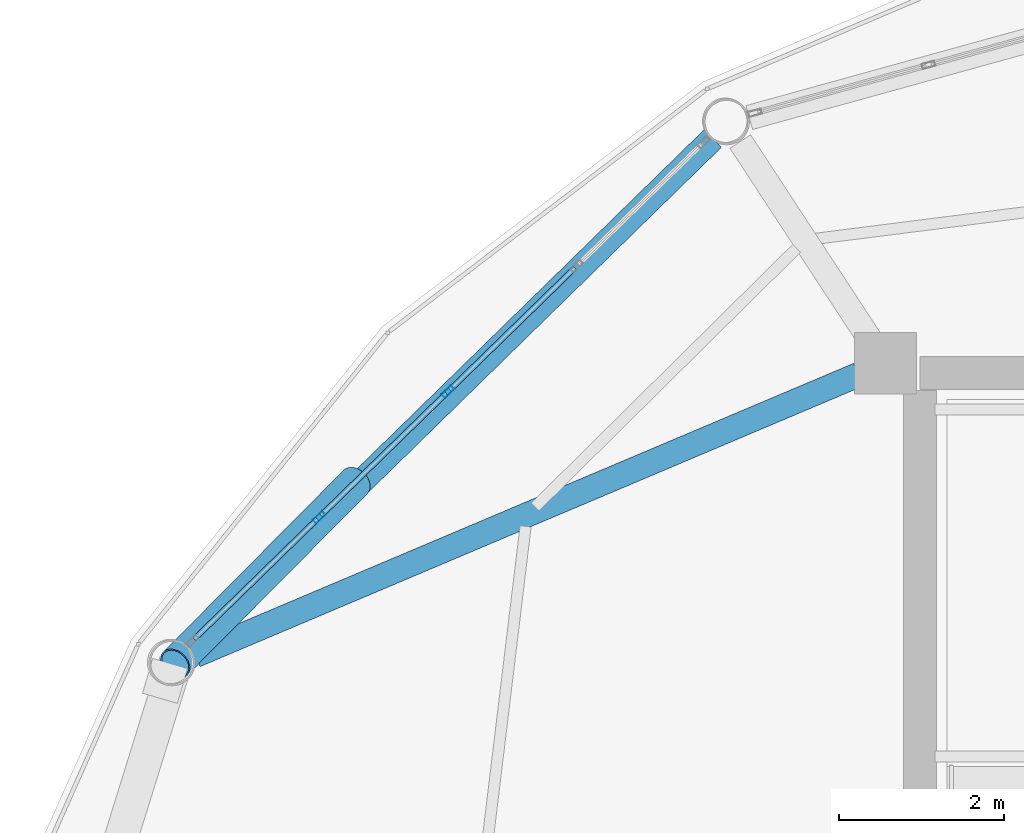
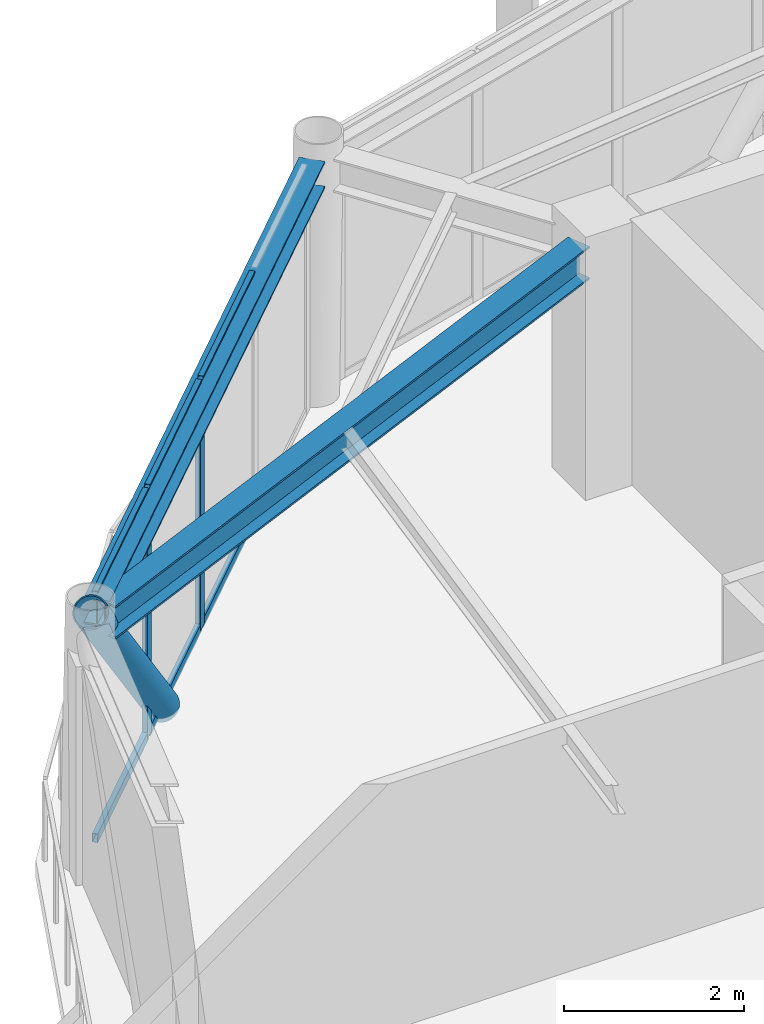
# One storey, part 13 of 27: 9 members, 2 beams, 1 element without a shape of its own.
"""IFC4 building model written with IfcOpenShell, lengths in metres."""

from ifc_helpers import new_model, si_unit, direction, frame, origin, origin_2d, place, context, subcontext, project, spatial, hollow_rectangle, hollow_circle, i_section, extrude, material, layer, layer_set, material_profile, profile_set, type_object, element, aggregate, save


model = new_model("IFC4")

# Units and contexts
model_context = context("Model", 3, precision=1e-05, world=origin(), true_north=direction((0.0, 1.0)))
body_context = subcontext(model_context, "Body", "Model", "MODEL_VIEW")
ifc_project = project(units=[si_unit("LENGTHUNIT", "METRE"), si_unit("AREAUNIT", "SQUARE_METRE"), si_unit("VOLUMEUNIT", "CUBIC_METRE"), si_unit("PLANEANGLEUNIT", "RADIAN"), si_unit("MASSUNIT", "GRAM", prefix="KILO")], contexts=[model_context])

# Site, building, storey
site_placement = place(None, origin())
site = spatial("IfcSite", under=ifc_project, at=site_placement, CompositionType="ELEMENT")
building_placement = place(site_placement, origin())
building = spatial("IfcBuilding", under=site, at=building_placement, Name="Varnakorn Sky Granary", CompositionType="ELEMENT")
storey_placement = place(building_placement, frame((0.0, 0.0, 245.39990234375)))
storey = spatial("IfcBuildingStorey", under=building, at=storey_placement, Name="L62", CompositionType="ELEMENT", Elevation=245.39990234375)

# Beams
ifc_material_1 = material(Name="Steel S355JR", Category="steel")
ifc_material_profile_1 = material_profile(ifc_material_1, i_section(OverallWidth=0.300048828125, OverallDepth=0.449951171875, WebThickness=0.013916015625, FlangeThickness=0.02587890625, at=origin_2d()), Name="HE 450 B")
ifc_profile_set_1 = profile_set([ifc_material_profile_1], Name="Steel S355JR")
beam_type_1 = type_object("IfcBeamType", Name="BM-RAD-Z5", PredefinedType="BEAM", material=ifc_profile_set_1)
beam_1_placement = place(storey_placement, frame((-2.746826171875, 12.481689453125, 3.135009765625), z_axis=(-0.920977646644, -0.389615418563, 0.0), x_axis=(0.389615418563, -0.920977646644, 0.0)))
element("IfcBeam", 1, at=beam_1_placement, inside=storey, type_object=beam_type_1, Name="Radial Floor Girder RG06 L62", PredefinedType="BEAM", context=body_context, shape_type="SweptSolid", body=[
    extrude(i_section(OverallWidth=0.300048828125, OverallDepth=0.449951171875, WebThickness=0.013916015625, FlangeThickness=0.02587890625, at=origin_2d()), origin(), (0.0, 0.0, 1.0), 8.75146484375),
])
ifc_material_profile_2 = material_profile(ifc_material_1, i_section(OverallWidth=0.300048828125, OverallDepth=0.360107421875, WebThickness=0.012451171875, FlangeThickness=0.0224609375, at=origin_2d()), Name="HE 360 B")
ifc_profile_set_2 = profile_set([ifc_material_profile_2], Name="Steel S355JR")
beam_type_2 = type_object("IfcBeamType", Name="BM-SPD-Z5", PredefinedType="SPANDREL", material=ifc_profile_set_2)
beam_2_placement = place(storey_placement, frame((-4.519287109375, 15.35009765625, 3.18017578125), z_axis=(-0.715264777824, -0.698853559485, 0.0), x_axis=(0.698853559485, -0.715264777824, 0.0)))
element("IfcBeam", 2, at=beam_2_placement, inside=storey, type_object=beam_type_2, Name="Perimeter Spandrel Ring Beam RB05 L62", PredefinedType="SPANDREL", context=body_context, shape_type="SweptSolid", body=[
    extrude(i_section(OverallWidth=0.300048828125, OverallDepth=0.360107421875, WebThickness=0.012451171875, FlangeThickness=0.0224609375, at=origin_2d()), origin(), (0.0, 0.0, 1.0), 8.866455078125),
])

# Curtain wall, members
ifc_material_2 = material(Name="Anodised Bronze Aluminium Alloy 6063-T6", Category="aluminium")
ifc_layer = layer(ifc_material_2, 0.159912109375, Name="Anodised Bronze Aluminium Alloy 6063-T6")
ifc_layer_set = layer_set([ifc_layer], Name="Anodised Bronze Aluminium Alloy 6063-T6")
curtain_wall_type = type_object("IfcCurtainWallType", Name="CW-OFF-1", PredefinedType="USERDEFINED", material=ifc_layer_set)
curtain_wall_placement = place(storey_placement, origin())
curtain_wall = element("IfcCurtainWall", 3, at=curtain_wall_placement, inside=storey, type_object=curtain_wall_type, Name="Unitised Curtain Wall CW6 CW-L62-B05", ObjectType="CURTAIN WALL", PredefinedType="USERDEFINED")
ifc_material_profile_3 = material_profile(ifc_material_2, hollow_rectangle(XDim=0.06494140625, YDim=0.159912109375, WallThickness=0.00341796875, at=origin_2d()), Name="ALU MULL 65x160")
ifc_profile_set_3 = profile_set([ifc_material_profile_3], Name="Anodised Bronze Aluminium Alloy 6063-T6")
member_type_1 = type_object("IfcMemberType", Name="CW-OFF-1-MULL", PredefinedType="MULLION", material=ifc_profile_set_3)
member_1_placement = place(storey_placement, frame((-9.30126953125, 10.74853515625, 0.0), z_axis=(0.0, 0.0, 1.0), x_axis=(-0.698180615076, 0.715921663823, 0.0)))
member_1 = element("IfcMember", 4, at=member_1_placement, type_object=member_type_1, Name="CW6 mullion 2", PredefinedType="MULLION", context=body_context, shape_type="SweptSolid", body=[
    extrude(hollow_rectangle(XDim=0.06494140625, YDim=0.159912109375, WallThickness=0.00341796875, at=origin_2d()), origin(), (0.0, 0.0, 1.0), 3.360107421875),
])
member_2_placement = place(storey_placement, frame((-7.736572265625, 12.2744140625, 0.0), z_axis=(0.0, 0.0, 1.0), x_axis=(-0.698180615076, 0.715921663823, 0.0)))
member_2 = element("IfcMember", 5, at=member_2_placement, type_object=member_type_1, Name="CW6 mullion 3", PredefinedType="MULLION", context=body_context, shape_type="SweptSolid", body=[
    extrude(hollow_rectangle(XDim=0.06494140625, YDim=0.159912109375, WallThickness=0.00341796875, at=origin_2d()), origin(), (0.0, 0.0, 1.0), 3.360107421875),
])
ifc_material_profile_4 = material_profile(ifc_material_2, hollow_rectangle(XDim=0.06494140625, YDim=0.1201171875, WallThickness=0.00341796875, at=origin_2d()), Name="ALU TRAN 65x120")
ifc_profile_set_4 = profile_set([ifc_material_profile_4], Name="Anodised Bronze Aluminium Alloy 6063-T6")
member_type_2 = type_object("IfcMemberType", Name="CW-OFF-1-TRAN", PredefinedType="USERDEFINED", material=ifc_profile_set_4)
member_3_placement = place(storey_placement, frame((-10.819580078125, 9.267822265625, 0.03271484375), z_axis=(0.715935858571, 0.698166059338, 0.0), x_axis=(-0.698166059338, 0.715935858571, 0.0)))
member_3 = element("IfcMember", 6, at=member_3_placement, type_object=member_type_2, Name="CW6 transom 1.1", ObjectType="TRANSOM", PredefinedType="USERDEFINED", context=body_context, shape_type="SweptSolid", body=[
    extrude(hollow_rectangle(XDim=0.06494140625, YDim=0.1201171875, WallThickness=0.00341796875, at=origin_2d()), origin(), (0.0, 0.0, 1.0), 2.08837890625),
])
member_4_placement = place(storey_placement, frame((-10.819580078125, 9.267822265625, 3.32763671875), z_axis=(0.715935858571, 0.698166059338, 0.0), x_axis=(-0.698166059338, 0.715935858571, 0.0)))
member_4 = element("IfcMember", 7, at=member_4_placement, type_object=member_type_2, Name="CW6 transom 1.2", ObjectType="TRANSOM", PredefinedType="USERDEFINED", context=body_context, shape_type="SweptSolid", body=[
    extrude(hollow_rectangle(XDim=0.06494140625, YDim=0.1201171875, WallThickness=0.00341796875, at=origin_2d()), origin(), (0.0, 0.0, 1.0), 2.08837890625),
])
member_5_placement = place(storey_placement, frame((-9.278076171875, 10.771240234375, 0.03271484375), z_axis=(0.715972805246, 0.698128170287, 0.0), x_axis=(-0.698128170287, 0.715972805246, 0.0)))
member_5 = element("IfcMember", 8, at=member_5_placement, type_object=member_type_2, Name="CW6 transom 2.1", ObjectType="TRANSOM", PredefinedType="USERDEFINED", context=body_context, shape_type="SweptSolid", body=[
    extrude(hollow_rectangle(XDim=0.06494140625, YDim=0.1201171875, WallThickness=0.00341796875, at=origin_2d()), origin(), (0.0, 0.0, 1.0), 2.12060546875),
])
member_6_placement = place(storey_placement, frame((-9.278076171875, 10.771240234375, 3.32763671875), z_axis=(0.715972805246, 0.698128170287, 0.0), x_axis=(-0.698128170287, 0.715972805246, 0.0)))
member_6 = element("IfcMember", 9, at=member_6_placement, type_object=member_type_2, Name="CW6 transom 2.2", ObjectType="TRANSOM", PredefinedType="USERDEFINED", context=body_context, shape_type="SweptSolid", body=[
    extrude(hollow_rectangle(XDim=0.06494140625, YDim=0.1201171875, WallThickness=0.00341796875, at=origin_2d()), origin(), (0.0, 0.0, 1.0), 2.12060546875),
])
member_7_placement = place(storey_placement, frame((-7.71337890625, 12.297119140625, 0.03271484375), z_axis=(0.715972805246, 0.698128170287, 0.0), x_axis=(-0.698128170287, 0.715972805246, 0.0)))
member_7 = element("IfcMember", 10, at=member_7_placement, type_object=member_type_2, Name="CW6 transom 3.1", ObjectType="TRANSOM", PredefinedType="USERDEFINED", context=body_context, shape_type="SweptSolid", body=[
    extrude(hollow_rectangle(XDim=0.06494140625, YDim=0.1201171875, WallThickness=0.00341796875, at=origin_2d()), origin(), (0.0, 0.0, 1.0), 2.12060546875),
])
member_8_placement = place(storey_placement, frame((-7.71337890625, 12.297119140625, 3.32763671875), z_axis=(0.715972805246, 0.698128170287, 0.0), x_axis=(-0.698128170287, 0.715972805246, 0.0)))
member_8 = element("IfcMember", 11, at=member_8_placement, type_object=member_type_2, Name="CW6 transom 3.2", ObjectType="TRANSOM", PredefinedType="USERDEFINED", context=body_context, shape_type="SweptSolid", body=[
    extrude(hollow_rectangle(XDim=0.06494140625, YDim=0.1201171875, WallThickness=0.00341796875, at=origin_2d()), origin(), (0.0, 0.0, 1.0), 2.12060546875),
])
aggregate(curtain_wall, [member_1, member_2, member_3, member_4, member_5, member_6, member_7, member_8])

# Member
ifc_material_3 = material(Name="Steel S460M", Category="steel")
ifc_material_profile_5 = material_profile(ifc_material_3, hollow_circle(Radius=0.203125, WallThickness=0.01611328125, at=origin_2d()), Name="CHS 406.4x16")
ifc_profile_set_5 = profile_set([ifc_material_profile_5], Name="Steel S460M")
member_type_3 = type_object("IfcMemberType", Name="MB-DIAG-T4", PredefinedType="BRACE", material=ifc_profile_set_5)
member_9_placement = place(storey_placement, frame((-8.860595703125, 11.177978515625, 0.0), z_axis=(-0.478233139348, -0.482445472719, 0.733852458116), x_axis=(0.710200438918, -0.703999528808, 0.0)))
element("IfcMember", 12, at=member_9_placement, inside=storey, type_object=member_type_3, Name="Perimeter CHS Diagrid Brace DG05 L62", PredefinedType="BRACE", context=body_context, shape_type="SweptSolid", body=[
    extrude(hollow_circle(Radius=0.203125, WallThickness=0.01611328125, at=origin_2d()), origin(), (0.0, 0.0, 1.0), 4.57861328125),
])

save(model, "model.ifc")
